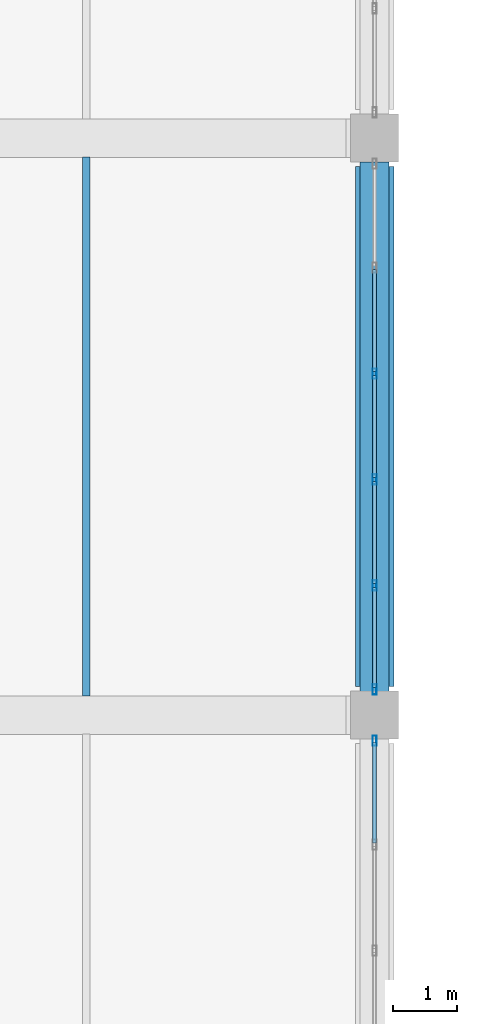
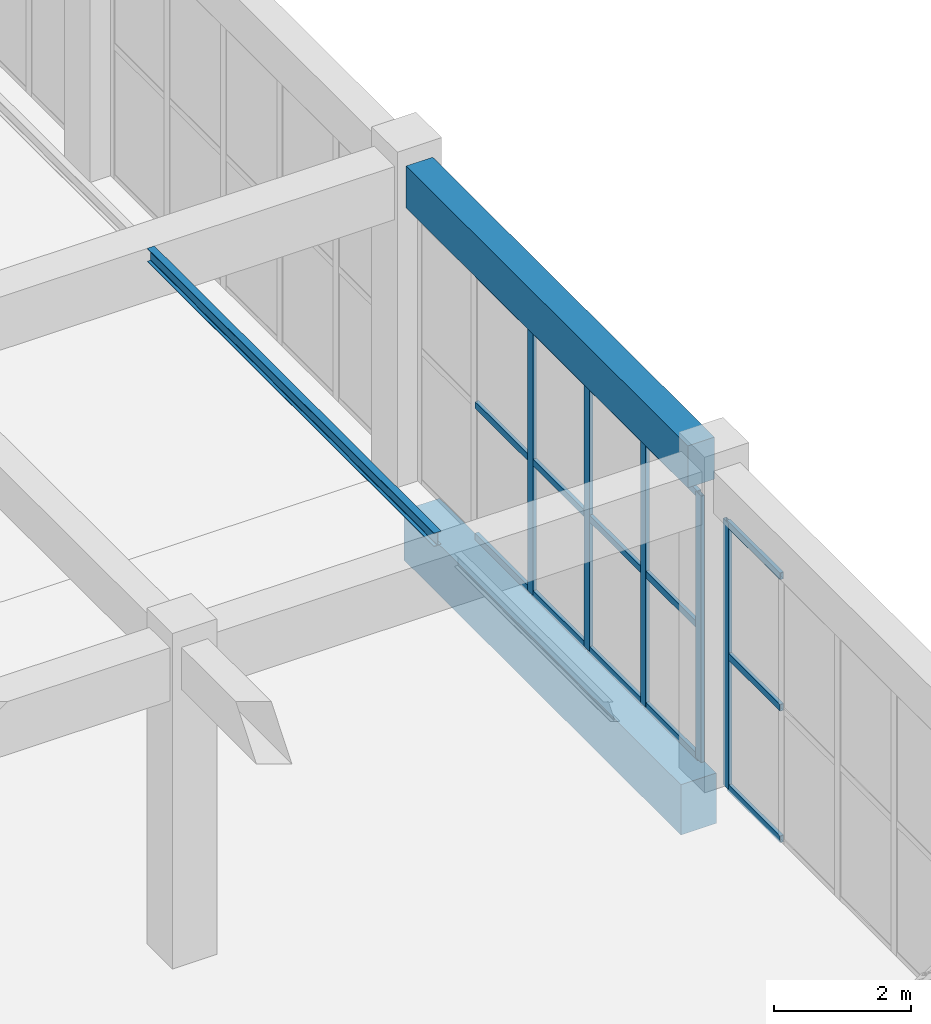
# One storey, part 39 of 91: 20 members, 3 beams, 2 elements without a shape of their own.
"""IFC4 building model written with IfcOpenShell, lengths in metres."""

from ifc_helpers import new_model, si_unit, direction, frame, origin, origin_2d, place, context, subcontext, project, spatial, rectangle, hollow_rectangle, i_section, extrude, material, layer, layer_set, material_profile, profile_set, type_object, element, aggregate, save


model = new_model("IFC4")

# Units and contexts
model_context = context("Model", 3, precision=1e-05, world=origin(), true_north=direction((0.0, 1.0)))
body_context = subcontext(model_context, "Body", "Model", "MODEL_VIEW")
ifc_project = project(units=[si_unit("LENGTHUNIT", "METRE"), si_unit("AREAUNIT", "SQUARE_METRE"), si_unit("VOLUMEUNIT", "CUBIC_METRE"), si_unit("PLANEANGLEUNIT", "RADIAN"), si_unit("MASSUNIT", "GRAM", prefix="KILO")], contexts=[model_context])

# Site, building, storey
site_placement = place(None, origin())
site = spatial("IfcSite", under=ifc_project, at=site_placement, CompositionType="ELEMENT")
building_placement = place(site_placement, origin())
building = spatial("IfcBuilding", under=site, at=building_placement, Name="Dornveld Trade and Exhibition Forum", CompositionType="ELEMENT")
storey_placement = place(building_placement, origin())
storey = spatial("IfcBuildingStorey", under=building, at=storey_placement, Name="L00", CompositionType="ELEMENT", Elevation=0.0)

# Beams
ifc_material_1 = material(Name="Concrete C40/50", Category="concrete")
ifc_material_profile_1 = material_profile(ifc_material_1, rectangle(XDim=0.60009765625, YDim=0.89990234375, at=origin_2d()), Name="RC-GB 600x900")
ifc_profile_set_1 = profile_set([ifc_material_profile_1], Name="Concrete C40/50")
beam_type_1 = type_object("IfcBeamType", Name="BM-GB-600x900", PredefinedType="BEAM", material=ifc_profile_set_1)
beam_1_placement = place(storey_placement, frame((216.0, 117.446044921875, -0.830078125), z_axis=(0.0, 1.0, 0.0), x_axis=(-1.0, 0.0, 0.0)))
element("IfcBeam", 1, at=beam_1_placement, inside=storey, type_object=beam_type_1, Name="L00 Y-girder 564", PredefinedType="BEAM", context=body_context, shape_type="SweptSolid", body=[
    extrude(rectangle(XDim=0.60009765625, YDim=0.89990234375, at=origin_2d()), origin(), (0.0, 0.0, 1.0), 8.10791015625),
])
ifc_material_2 = material(Name="Steel S355J2", Category="steel")
ifc_material_profile_2 = material_profile(ifc_material_2, i_section(OverallWidth=0.1201171875, OverallDepth=0.239990234375, WebThickness=0.006103515625, FlangeThickness=0.009765625, FilletRadius=0.014892578125, at=origin_2d()), Name="IPE 240")
ifc_profile_set_2 = profile_set([ifc_material_profile_2], Name="Steel S355J2")
beam_type_2 = type_object("IfcBeamType", Name="BM-JOIST-240", PredefinedType="JOIST", material=ifc_profile_set_2)
beam_2_placement = place(storey_placement, frame((211.5, 117.297119140625, 5.580078125), z_axis=(0.0, 1.0, 0.0), x_axis=(-1.0, 0.0, 0.0)))
element("IfcBeam", 2, at=beam_2_placement, inside=storey, type_object=beam_type_2, Name="L00 secondary joist 1018", PredefinedType="JOIST", context=body_context, shape_type="SweptSolid", body=[
    extrude(i_section(OverallWidth=0.1201171875, OverallDepth=0.239990234375, WebThickness=0.006103515625, FlangeThickness=0.009765625, FilletRadius=0.014892578125, at=origin_2d()), origin(), (0.0, 0.0, 1.0), 8.40576171875),
])
ifc_material_3 = material(Name="Precast concrete C50/60", Category="concrete")
ifc_material_profile_3 = material_profile(ifc_material_3, rectangle(XDim=0.449951171875, YDim=0.75, at=origin_2d()), Name="PC-BM 450x750")
ifc_profile_set_3 = profile_set([ifc_material_profile_3], Name="Precast concrete C50/60")
beam_type_3 = type_object("IfcBeamType", Name="BM-PC-450x750", PredefinedType="BEAM", material=ifc_profile_set_3)
beam_3_placement = place(storey_placement, frame((216.0, 117.37109375, 5.324951171875), z_axis=(0.0, 1.0, 0.0), x_axis=(-1.0, 0.0, 0.0)))
element("IfcBeam", 3, at=beam_3_placement, inside=storey, type_object=beam_type_3, Name="L00 Y-girder 1000", PredefinedType="BEAM", context=body_context, shape_type="SweptSolid", body=[
    extrude(rectangle(XDim=0.449951171875, YDim=0.75, at=origin_2d()), origin(), (0.0, 0.0, 1.0), 8.2578125),
])

# Curtain wall, member
ifc_material_4 = material(Name="Dark-bronze anodised aluminium and low-E glass", Category="aluminium")
ifc_layer_1 = layer(ifc_material_4, 0.172119140625)
ifc_layer_set_1 = layer_set([ifc_layer_1], Name="Dark-bronze anodised aluminium and low-E glass")
curtain_wall_type_1 = type_object("IfcCurtainWallType", Name="CW-SYS-10", PredefinedType="USERDEFINED", material=ifc_layer_set_1)
curtain_wall_1_placement = place(storey_placement, origin())
curtain_wall_1 = element("IfcCurtainWall", 4, at=curtain_wall_1_placement, inside=storey, type_object=curtain_wall_type_1, Name="L00 unitised curtain wall 100", ObjectType="UNITISED_CURTAIN_WALL", PredefinedType="USERDEFINED")
ifc_material_5 = material(Name="Dark-bronze anodised aluminium", Category="aluminium")
ifc_material_profile_4 = material_profile(ifc_material_5, hollow_rectangle(XDim=0.06005859375, YDim=0.159912109375, WallThickness=0.00390625, at=origin_2d()), Name="RHS 160x60x4")
ifc_profile_set_4 = profile_set([ifc_material_profile_4], Name="Dark-bronze anodised aluminium")
member_type_1 = type_object("IfcMemberType", Name="CW-MUL-160", PredefinedType="MULLION", material=ifc_profile_set_4)
member_1_placement = place(storey_placement, frame((216.0, 116.59912109375, -0.00390625), z_axis=(0.0, 0.0, 1.0), x_axis=(-1.0, 0.0, 0.0)))
member_1 = element("IfcMember", 5, at=member_1_placement, type_object=member_type_1, Name="CW-10 mullion 6", PredefinedType="MULLION", context=body_context, shape_type="SweptSolid", body=[
    extrude(hollow_rectangle(XDim=0.06005859375, YDim=0.159912109375, WallThickness=0.00390625, at=origin_2d()), origin(), (0.0, 0.0, 1.0), 4.763916015625),
])

# Curtain wall, members
ifc_material_6 = material(Name="Dark-bronze anodised aluminium and low-E glass", Category="aluminium")
ifc_layer_2 = layer(ifc_material_6, 0.175048828125)
ifc_layer_set_2 = layer_set([ifc_layer_2], Name="Dark-bronze anodised aluminium and low-E glass")
curtain_wall_type_2 = type_object("IfcCurtainWallType", Name="CW-SYS-11", PredefinedType="USERDEFINED", material=ifc_layer_set_2)
curtain_wall_2_placement = place(storey_placement, origin())
curtain_wall_2 = element("IfcCurtainWall", 6, at=curtain_wall_2_placement, inside=storey, type_object=curtain_wall_type_2, Name="L00 unitised curtain wall 101", ObjectType="UNITISED_CURTAIN_WALL", PredefinedType="USERDEFINED")
member_2_placement = place(storey_placement, frame((216.0, 117.40087890625, -0.00390625), z_axis=(0.0, 0.0, 1.0), x_axis=(-1.0, 0.0, 0.0)))
member_2 = element("IfcMember", 7, at=member_2_placement, type_object=member_type_1, Name="CW-11 mullion 1", PredefinedType="MULLION", context=body_context, shape_type="SweptSolid", body=[
    extrude(hollow_rectangle(XDim=0.06005859375, YDim=0.159912109375, WallThickness=0.00390625, at=origin_2d()), origin(), (0.0, 0.0, 1.0), 4.763916015625),
])
member_3_placement = place(storey_placement, frame((216.0, 119.022705078125, -0.00390625), z_axis=(0.0, 0.0, 1.0), x_axis=(-1.0, 0.0, 0.0)))
member_3 = element("IfcMember", 8, at=member_3_placement, type_object=member_type_1, Name="CW-11 mullion 2", PredefinedType="MULLION", context=body_context, shape_type="SweptSolid", body=[
    extrude(hollow_rectangle(XDim=0.06005859375, YDim=0.159912109375, WallThickness=0.00390625, at=origin_2d()), origin(), (0.0, 0.0, 1.0), 4.763916015625),
])
member_4_placement = place(storey_placement, frame((216.0, 120.67431640625, -0.00390625), z_axis=(0.0, 0.0, 1.0), x_axis=(-1.0, 0.0, 0.0)))
member_4 = element("IfcMember", 9, at=member_4_placement, type_object=member_type_1, Name="CW-11 mullion 3", PredefinedType="MULLION", context=body_context, shape_type="SweptSolid", body=[
    extrude(hollow_rectangle(XDim=0.06005859375, YDim=0.159912109375, WallThickness=0.00390625, at=origin_2d()), origin(), (0.0, 0.0, 1.0), 4.763916015625),
])
member_5_placement = place(storey_placement, frame((216.0, 122.32568359375, -0.00390625), z_axis=(0.0, 0.0, 1.0), x_axis=(-1.0, 0.0, 0.0)))
member_5 = element("IfcMember", 10, at=member_5_placement, type_object=member_type_1, Name="CW-11 mullion 4", PredefinedType="MULLION", context=body_context, shape_type="SweptSolid", body=[
    extrude(hollow_rectangle(XDim=0.06005859375, YDim=0.159912109375, WallThickness=0.00390625, at=origin_2d()), origin(), (0.0, 0.0, 1.0), 4.763916015625),
])

# Member
ifc_material_7 = material(Name="Dark-bronze anodised aluminium", Category="aluminium")
ifc_material_profile_5 = material_profile(ifc_material_7, hollow_rectangle(XDim=0.06005859375, YDim=0.1201171875, WallThickness=0.00390625, at=origin_2d()), Name="RHS 120x60x4")
ifc_profile_set_5 = profile_set([ifc_material_profile_5], Name="Dark-bronze anodised aluminium")
member_type_2 = type_object("IfcMemberType", Name="CW-TRN-120", PredefinedType="USERDEFINED", material=ifc_profile_set_5)
member_6_placement = place(storey_placement, frame((216.0, 115.00732421875, 0.02587890625), z_axis=(0.0, 1.0, 0.0), x_axis=(-1.0, 0.0, 0.0)))
member_6 = element("IfcMember", 11, at=member_6_placement, type_object=member_type_2, Name="CW-10 transom 5.1", ObjectType="TRANSOM", PredefinedType="USERDEFINED", context=body_context, shape_type="SweptSolid", body=[
    extrude(hollow_rectangle(XDim=0.06005859375, YDim=0.1201171875, WallThickness=0.00390625, at=origin_2d()), origin(), (0.0, 0.0, 1.0), 1.561767578125),
])

member_7_placement = place(storey_placement, frame((216.0, 115.00732421875, 2.3779296875), z_axis=(0.0, 1.0, 0.0), x_axis=(-1.0, 0.0, 0.0)))
member_7 = element("IfcMember", 12, at=member_7_placement, type_object=member_type_2, Name="CW-10 transom 5.2", ObjectType="TRANSOM", PredefinedType="USERDEFINED", context=body_context, shape_type="SweptSolid", body=[
    extrude(hollow_rectangle(XDim=0.06005859375, YDim=0.1201171875, WallThickness=0.00390625, at=origin_2d()), origin(), (0.0, 0.0, 1.0), 1.561767578125),
])

member_8_placement = place(storey_placement, frame((216.0, 115.00732421875, 4.72998046875), z_axis=(0.0, 1.0, 0.0), x_axis=(-1.0, 0.0, 0.0)))
member_8 = element("IfcMember", 13, at=member_8_placement, type_object=member_type_2, Name="CW-10 transom 5.3", ObjectType="TRANSOM", PredefinedType="USERDEFINED", context=body_context, shape_type="SweptSolid", body=[
    extrude(hollow_rectangle(XDim=0.06005859375, YDim=0.1201171875, WallThickness=0.00390625, at=origin_2d()), origin(), (0.0, 0.0, 1.0), 1.561767578125),
])

aggregate(curtain_wall_1, [member_1, member_6, member_7, member_8])

member_9_placement = place(storey_placement, frame((216.0, 117.430908203125, 0.02587890625), z_axis=(0.0, 1.0, 0.0), x_axis=(-1.0, 0.0, 0.0)))
member_9 = element("IfcMember", 14, at=member_9_placement, type_object=member_type_2, Name="CW-11 transom 1.1", ObjectType="TRANSOM", PredefinedType="USERDEFINED", context=body_context, shape_type="SweptSolid", body=[
    extrude(hollow_rectangle(XDim=0.06005859375, YDim=0.1201171875, WallThickness=0.00390625, at=origin_2d()), origin(), (0.0, 0.0, 1.0), 1.561767578125),
])

member_10_placement = place(storey_placement, frame((216.0, 117.430908203125, 2.3779296875), z_axis=(0.0, 1.0, 0.0), x_axis=(-1.0, 0.0, 0.0)))
member_10 = element("IfcMember", 15, at=member_10_placement, type_object=member_type_2, Name="CW-11 transom 1.2", ObjectType="TRANSOM", PredefinedType="USERDEFINED", context=body_context, shape_type="SweptSolid", body=[
    extrude(hollow_rectangle(XDim=0.06005859375, YDim=0.1201171875, WallThickness=0.00390625, at=origin_2d()), origin(), (0.0, 0.0, 1.0), 1.561767578125),
])

member_11_placement = place(storey_placement, frame((216.0, 117.430908203125, 4.72998046875), z_axis=(0.0, 1.0, 0.0), x_axis=(-1.0, 0.0, 0.0)))
member_11 = element("IfcMember", 16, at=member_11_placement, type_object=member_type_2, Name="CW-11 transom 1.3", ObjectType="TRANSOM", PredefinedType="USERDEFINED", context=body_context, shape_type="SweptSolid", body=[
    extrude(hollow_rectangle(XDim=0.06005859375, YDim=0.1201171875, WallThickness=0.00390625, at=origin_2d()), origin(), (0.0, 0.0, 1.0), 1.561767578125),
])

member_12_placement = place(storey_placement, frame((216.0, 119.052490234375, 0.02587890625), z_axis=(0.0, 1.0, 0.0), x_axis=(-1.0, 0.0, 0.0)))
member_12 = element("IfcMember", 17, at=member_12_placement, type_object=member_type_2, Name="CW-11 transom 2.1", ObjectType="TRANSOM", PredefinedType="USERDEFINED", context=body_context, shape_type="SweptSolid", body=[
    extrude(hollow_rectangle(XDim=0.06005859375, YDim=0.1201171875, WallThickness=0.00390625, at=origin_2d()), origin(), (0.0, 0.0, 1.0), 1.591796875),
])

member_13_placement = place(storey_placement, frame((216.0, 119.052490234375, 2.3779296875), z_axis=(0.0, 1.0, 0.0), x_axis=(-1.0, 0.0, 0.0)))
member_13 = element("IfcMember", 18, at=member_13_placement, type_object=member_type_2, Name="CW-11 transom 2.2", ObjectType="TRANSOM", PredefinedType="USERDEFINED", context=body_context, shape_type="SweptSolid", body=[
    extrude(hollow_rectangle(XDim=0.06005859375, YDim=0.1201171875, WallThickness=0.00390625, at=origin_2d()), origin(), (0.0, 0.0, 1.0), 1.591796875),
])

member_14_placement = place(storey_placement, frame((216.0, 119.052490234375, 4.72998046875), z_axis=(0.0, 1.0, 0.0), x_axis=(-1.0, 0.0, 0.0)))
member_14 = element("IfcMember", 19, at=member_14_placement, type_object=member_type_2, Name="CW-11 transom 2.3", ObjectType="TRANSOM", PredefinedType="USERDEFINED", context=body_context, shape_type="SweptSolid", body=[
    extrude(hollow_rectangle(XDim=0.06005859375, YDim=0.1201171875, WallThickness=0.00390625, at=origin_2d()), origin(), (0.0, 0.0, 1.0), 1.591796875),
])

member_15_placement = place(storey_placement, frame((216.0, 120.7041015625, 0.02587890625), z_axis=(0.0, 1.0, 0.0), x_axis=(-1.0, 0.0, 0.0)))
member_15 = element("IfcMember", 20, at=member_15_placement, type_object=member_type_2, Name="CW-11 transom 3.1", ObjectType="TRANSOM", PredefinedType="USERDEFINED", context=body_context, shape_type="SweptSolid", body=[
    extrude(hollow_rectangle(XDim=0.06005859375, YDim=0.1201171875, WallThickness=0.00390625, at=origin_2d()), origin(), (0.0, 0.0, 1.0), 1.591796875),
])

member_16_placement = place(storey_placement, frame((216.0, 120.7041015625, 2.3779296875), z_axis=(0.0, 1.0, 0.0), x_axis=(-1.0, 0.0, 0.0)))
member_16 = element("IfcMember", 21, at=member_16_placement, type_object=member_type_2, Name="CW-11 transom 3.2", ObjectType="TRANSOM", PredefinedType="USERDEFINED", context=body_context, shape_type="SweptSolid", body=[
    extrude(hollow_rectangle(XDim=0.06005859375, YDim=0.1201171875, WallThickness=0.00390625, at=origin_2d()), origin(), (0.0, 0.0, 1.0), 1.591796875),
])

member_17_placement = place(storey_placement, frame((216.0, 120.7041015625, 4.72998046875), z_axis=(0.0, 1.0, 0.0), x_axis=(-1.0, 0.0, 0.0)))
member_17 = element("IfcMember", 22, at=member_17_placement, type_object=member_type_2, Name="CW-11 transom 3.3", ObjectType="TRANSOM", PredefinedType="USERDEFINED", context=body_context, shape_type="SweptSolid", body=[
    extrude(hollow_rectangle(XDim=0.06005859375, YDim=0.1201171875, WallThickness=0.00390625, at=origin_2d()), origin(), (0.0, 0.0, 1.0), 1.591796875),
])

member_18_placement = place(storey_placement, frame((216.0, 122.355712890625, 0.02587890625), z_axis=(0.0, 1.0, 0.0), x_axis=(-1.0, 0.0, 0.0)))
member_18 = element("IfcMember", 23, at=member_18_placement, type_object=member_type_2, Name="CW-11 transom 4.1", ObjectType="TRANSOM", PredefinedType="USERDEFINED", context=body_context, shape_type="SweptSolid", body=[
    extrude(hollow_rectangle(XDim=0.06005859375, YDim=0.1201171875, WallThickness=0.00390625, at=origin_2d()), origin(), (0.0, 0.0, 1.0), 1.591796875),
])

member_19_placement = place(storey_placement, frame((216.0, 122.355712890625, 2.3779296875), z_axis=(0.0, 1.0, 0.0), x_axis=(-1.0, 0.0, 0.0)))
member_19 = element("IfcMember", 24, at=member_19_placement, type_object=member_type_2, Name="CW-11 transom 4.2", ObjectType="TRANSOM", PredefinedType="USERDEFINED", context=body_context, shape_type="SweptSolid", body=[
    extrude(hollow_rectangle(XDim=0.06005859375, YDim=0.1201171875, WallThickness=0.00390625, at=origin_2d()), origin(), (0.0, 0.0, 1.0), 1.591796875),
])

member_20_placement = place(storey_placement, frame((216.0, 122.355712890625, 4.72998046875), z_axis=(0.0, 1.0, 0.0), x_axis=(-1.0, 0.0, 0.0)))
member_20 = element("IfcMember", 25, at=member_20_placement, type_object=member_type_2, Name="CW-11 transom 4.3", ObjectType="TRANSOM", PredefinedType="USERDEFINED", context=body_context, shape_type="SweptSolid", body=[
    extrude(hollow_rectangle(XDim=0.06005859375, YDim=0.1201171875, WallThickness=0.00390625, at=origin_2d()), origin(), (0.0, 0.0, 1.0), 1.591796875),
])

aggregate(curtain_wall_2, [member_2, member_3, member_4, member_5, member_9, member_10, member_11, member_12, member_13, member_14, member_15, member_16, member_17, member_18, member_19, member_20])

save(model, "model.ifc")
